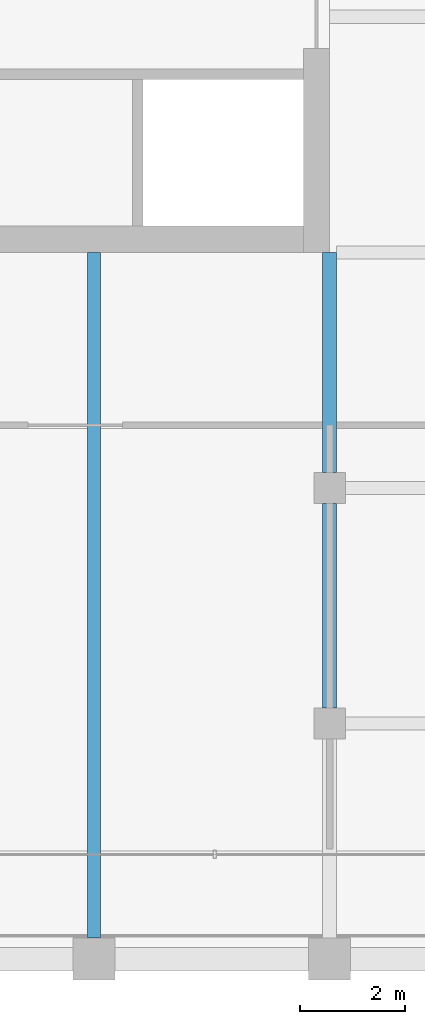
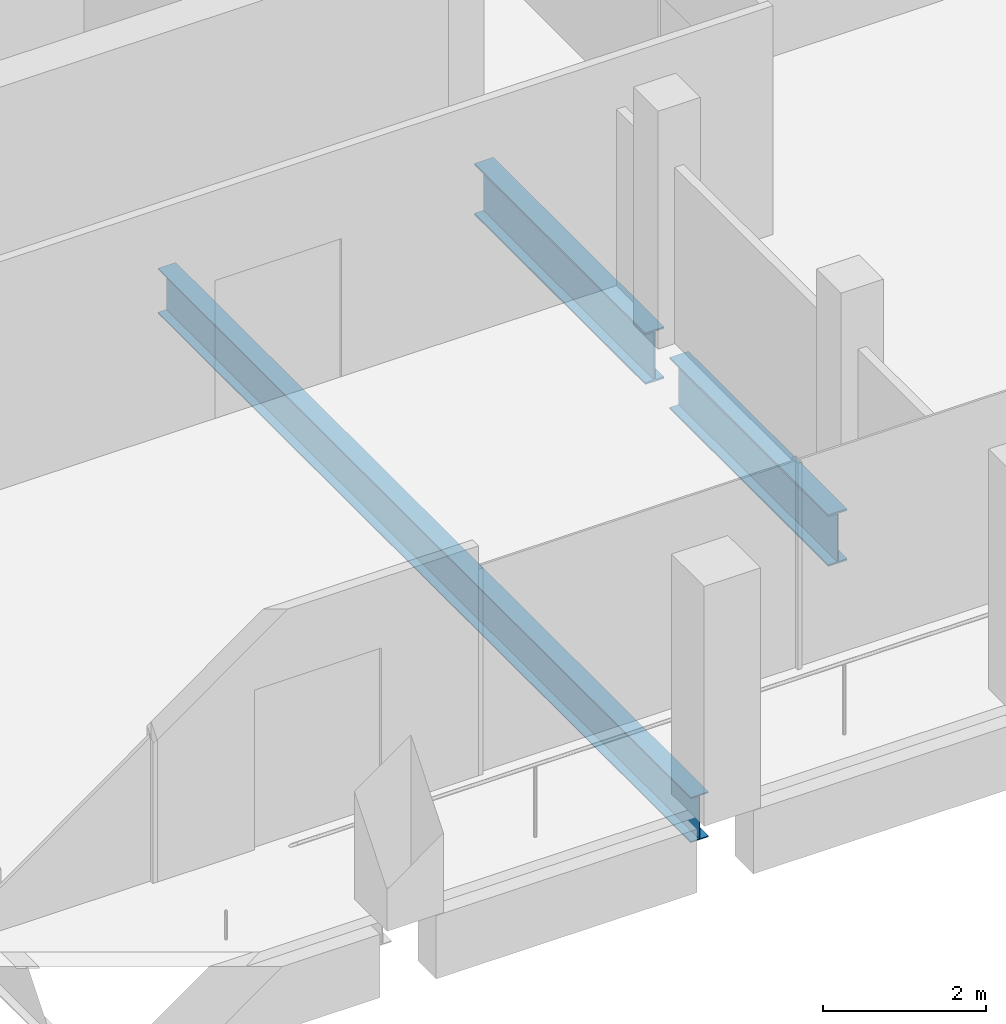
# One storey, part 10 of 30: 3 beams.
"""IFC4 building model written with IfcOpenShell, lengths in metres."""

from ifc_helpers import new_model, si_unit, direction, frame, origin, origin_2d, place, context, subcontext, project, spatial, i_section, extrude, material, material_profile, profile_set, type_object, element, save


model = new_model("IFC4")

# Units and contexts
model_context = context("Model", 3, precision=1e-05, world=origin(), true_north=direction((0.0, 1.0)))
body_context = subcontext(model_context, "Body", "Model", "MODEL_VIEW")
ifc_project = project(units=[si_unit("LENGTHUNIT", "METRE"), si_unit("AREAUNIT", "SQUARE_METRE"), si_unit("VOLUMEUNIT", "CUBIC_METRE"), si_unit("PLANEANGLEUNIT", "RADIAN"), si_unit("MASSUNIT", "GRAM", prefix="KILO")], contexts=[model_context])

# Site, building, storey
site_placement = place(None, origin())
site = spatial("IfcSite", under=ifc_project, at=site_placement, CompositionType="ELEMENT")
building_placement = place(site_placement, origin())
building = spatial("IfcBuilding", under=site, at=building_placement, Name="Altepetl Exchange Towers", CompositionType="ELEMENT")
storey_placement = place(building_placement, frame((0.0, 0.0, 228.0)))
storey = spatial("IfcBuildingStorey", under=building, at=storey_placement, Name="L58", CompositionType="ELEMENT", Elevation=228.0)

# Beams
ifc_material = material(Name="Steel S355", Category="steel")
ifc_material_profile_1 = material_profile(ifc_material, i_section(OverallWidth=0.2529296875, OverallDepth=0.677978515625, WebThickness=0.01171875, FlangeThickness=0.016357421875, at=origin_2d()), Name="W27X84")
ifc_profile_set_1 = profile_set([ifc_material_profile_1], Name="Steel S355")
beam_type_1 = type_object("IfcBeamType", Name="Floor beam W27X84", PredefinedType="BEAM", material=ifc_profile_set_1)
beam_1_placement = place(storey_placement, frame((54.0, 27.39990234375, -0.489013671875), z_axis=(0.0, 1.0, 0.0), x_axis=(-1.0, 0.0, 0.0)))
element("IfcBeam", 1, at=beam_1_placement, inside=storey, type_object=beam_type_1, Name="bm:A:L58:017", PredefinedType="BEAM", context=body_context, shape_type="SweptSolid", body=[
    extrude(i_section(OverallWidth=0.2529296875, OverallDepth=0.677978515625, WebThickness=0.01171875, FlangeThickness=0.016357421875, at=origin_2d()), origin(), (0.0, 0.0, 1.0), 13.10009765625),
])
ifc_material_profile_2 = material_profile(ifc_material, i_section(OverallWidth=0.26806640625, OverallDepth=0.77392578125, WebThickness=0.015380859375, FlangeThickness=0.025390625, at=origin_2d()), Name="W30X132")
ifc_profile_set_2 = profile_set([ifc_material_profile_2], Name="Steel S355")
beam_type_2 = type_object("IfcBeamType", Name="Girder W30X132", PredefinedType="BEAM", material=ifc_profile_set_2)
beam_2_placement = place(storey_placement, frame((58.5, 40.5, -0.537109375), z_axis=(0.0, -1.0, 0.0), x_axis=(1.0, 0.0, 0.0)))
element("IfcBeam", 2, at=beam_2_placement, inside=storey, type_object=beam_type_2, Name="gd:A:L58:003", PredefinedType="BEAM", context=body_context, shape_type="SweptSolid", body=[
    extrude(i_section(OverallWidth=0.26806640625, OverallDepth=0.77392578125, WebThickness=0.015380859375, FlangeThickness=0.025390625, at=origin_2d()), origin(), (0.0, 0.0, 1.0), 4.199951171875),
])
beam_3_placement = place(storey_placement, frame((58.5, 35.699951171875, -0.537109375), z_axis=(0.0, -1.0, 0.0), x_axis=(1.0, 0.0, 0.0)))
element("IfcBeam", 3, at=beam_3_placement, inside=storey, type_object=beam_type_2, Name="gd:A:L58:004", PredefinedType="BEAM", context=body_context, shape_type="SweptSolid", body=[
    extrude(i_section(OverallWidth=0.26806640625, OverallDepth=0.77392578125, WebThickness=0.015380859375, FlangeThickness=0.025390625, at=origin_2d()), origin(), (0.0, 0.0, 1.0), 3.89990234375),
])

save(model, "model.ifc")
